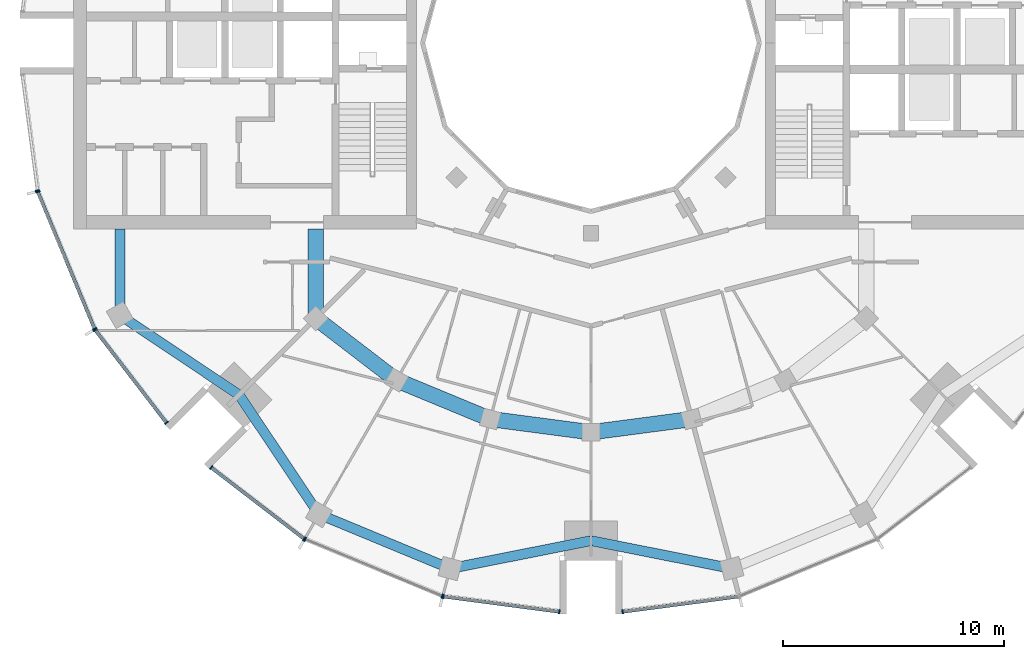
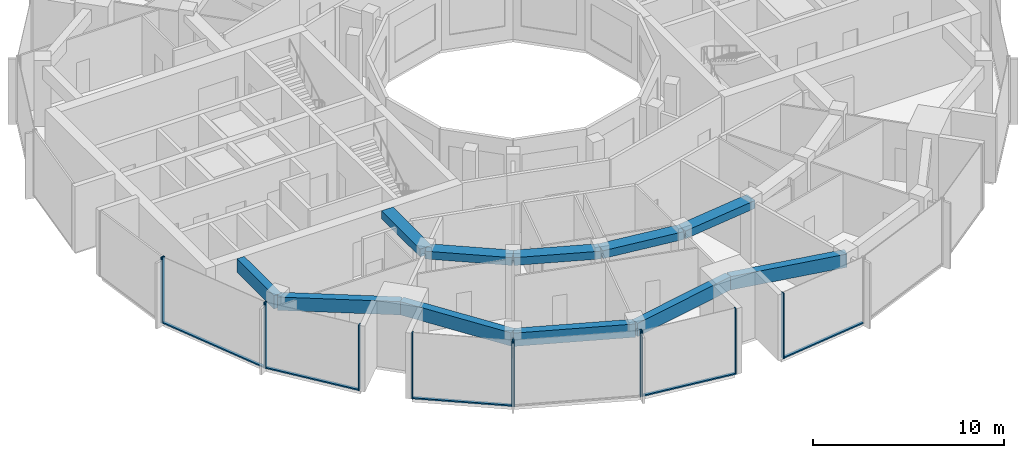
# One storey, part 2 of 15: 17 members, 11 beams, 7 elements without a shape of their own.
"""IFC4 building model written with IfcOpenShell, lengths in metres."""

from ifc_helpers import new_model, si_unit, direction, frame, origin, origin_2d, place, context, subcontext, project, spatial, rectangle, extrude, material, layer, layer_set, material_profile, profile_set, type_object, element, aggregate, save


model = new_model("IFC4")

# Units and contexts
model_context = context("Model", 3, precision=1e-05, world=origin(), true_north=direction((0.0, 1.0)))
body_context = subcontext(model_context, "Body", "Model", "MODEL_VIEW")
ifc_project = project(units=[si_unit("LENGTHUNIT", "METRE"), si_unit("AREAUNIT", "SQUARE_METRE"), si_unit("VOLUMEUNIT", "CUBIC_METRE"), si_unit("PLANEANGLEUNIT", "RADIAN"), si_unit("MASSUNIT", "GRAM", prefix="KILO")], contexts=[model_context])

# Site, building, storey
site_placement = place(None, origin())
site = spatial("IfcSite", under=ifc_project, at=site_placement, CompositionType="ELEMENT")
building_placement = place(site_placement, origin())
building = spatial("IfcBuilding", under=site, at=building_placement, Name="Torre Brocal", CompositionType="ELEMENT")
storey_placement = place(building_placement, frame((0.0, 0.0, 254.10009765625)))
storey = spatial("IfcBuildingStorey", under=building, at=storey_placement, Name="L58", CompositionType="ELEMENT", Elevation=254.10009765625)

# Curtain wall, members
ifc_material_1 = material(Name="Aluminium and glass", Category="aluminium")
ifc_layer_1 = layer(ifc_material_1, 0.199951171875)
ifc_layer_set_1 = layer_set([ifc_layer_1], Name="Aluminium and glass")
curtain_wall_type_1 = type_object("IfcCurtainWallType", Name="CW-1 CURTAIN WALL 4200 HIGH", PredefinedType="NOTDEFINED", material=ifc_layer_set_1)
curtain_wall_1_placement = place(storey_placement, origin())
curtain_wall_1 = element("IfcCurtainWall", 1, at=curtain_wall_1_placement, inside=storey, type_object=curtain_wall_type_1, Name="CW-1 RUN 14", PredefinedType="NOTDEFINED")
ifc_material_2 = material(Name="Aluminium, dark anodised", Category="aluminium")
ifc_material_profile_1 = material_profile(ifc_material_2, rectangle(XDim=0.199951171875, YDim=0.06005859375, at=origin_2d()), Name="CW-1 MULLION 60X200")
ifc_profile_set_1 = profile_set([ifc_material_profile_1], Name="Aluminium, dark anodised")
member_type_1 = type_object("IfcMemberType", Name="CW-1 MULLION 60X200", PredefinedType="MULLION", material=ifc_profile_set_1)
member_1_placement = place(storey_placement, frame((54.994873046875, 68.26904296875, 0.0), z_axis=(0.0, 0.0, 1.0), x_axis=(0.923879532525, 0.382683432333, 0.0)))
member_1 = element("IfcMember", 2, at=member_1_placement, type_object=member_type_1, Name="CW1-5 mullion 1", PredefinedType="MULLION", context=body_context, shape_type="SweptSolid", body=[
    extrude(rectangle(XDim=0.199951171875, YDim=0.06005859375, at=origin_2d()), origin(), (0.0, 0.0, 1.0), 4.199951171875),
])
member_2_placement = place(storey_placement, frame((57.559326171875, 62.078125, 0.0), z_axis=(0.0, 0.0, 1.0), x_axis=(0.923879532525, 0.382683432333, 0.0)))
member_2 = element("IfcMember", 3, at=member_2_placement, type_object=member_type_1, Name="CW1-5 mullion 2", PredefinedType="MULLION", context=body_context, shape_type="SweptSolid", body=[
    extrude(rectangle(XDim=0.199951171875, YDim=0.06005859375, at=origin_2d()), origin(), (0.0, 0.0, 1.0), 4.199951171875),
])

curtain_wall_2_placement = place(storey_placement, origin())
curtain_wall_2 = element("IfcCurtainWall", 4, at=curtain_wall_2_placement, inside=storey, type_object=curtain_wall_type_1, Name="CW-1 RUN 15", PredefinedType="NOTDEFINED")
member_3_placement = place(storey_placement, frame((57.5888671875, 62.026611328125, 0.0), z_axis=(0.0, 0.0, 1.0), x_axis=(0.793353340259, 0.60876142905, 0.0)))
member_3 = element("IfcMember", 5, at=member_3_placement, type_object=member_type_1, Name="CW1-5 mullion 1", PredefinedType="MULLION", context=body_context, shape_type="SweptSolid", body=[
    extrude(rectangle(XDim=0.199951171875, YDim=0.06005859375, at=origin_2d()), origin(), (0.0, 0.0, 1.0), 4.199951171875),
])
member_4_placement = place(storey_placement, frame((60.80859375, 57.83056640625, 0.0), z_axis=(0.0, 0.0, 1.0), x_axis=(0.793353340259, 0.60876142905, 0.0)))
member_4 = element("IfcMember", 6, at=member_4_placement, type_object=member_type_1, Name="CW1-5 mullion 2", PredefinedType="MULLION", context=body_context, shape_type="SweptSolid", body=[
    extrude(rectangle(XDim=0.199951171875, YDim=0.06005859375, at=origin_2d()), origin(), (0.0, 0.0, 1.0), 4.199951171875),
])

curtain_wall_3_placement = place(storey_placement, origin())
curtain_wall_3 = element("IfcCurtainWall", 7, at=curtain_wall_3_placement, inside=storey, type_object=curtain_wall_type_1, Name="CW-1 RUN 16", PredefinedType="NOTDEFINED")
member_5_placement = place(storey_placement, frame((62.83056640625, 55.80859375, 0.0), z_axis=(0.0, 0.0, 1.0), x_axis=(0.60876142905, 0.793353340259, 0.0)))
member_5 = element("IfcMember", 8, at=member_5_placement, type_object=member_type_1, Name="CW1-5 mullion 1", PredefinedType="MULLION", context=body_context, shape_type="SweptSolid", body=[
    extrude(rectangle(XDim=0.199951171875, YDim=0.06005859375, at=origin_2d()), origin(), (0.0, 0.0, 1.0), 4.199951171875),
])
member_6_placement = place(storey_placement, frame((67.026611328125, 52.5888671875, 0.0), z_axis=(0.0, 0.0, 1.0), x_axis=(0.60876142905, 0.793353340259, 0.0)))
member_6 = element("IfcMember", 9, at=member_6_placement, type_object=member_type_1, Name="CW1-5 mullion 2", PredefinedType="MULLION", context=body_context, shape_type="SweptSolid", body=[
    extrude(rectangle(XDim=0.199951171875, YDim=0.06005859375, at=origin_2d()), origin(), (0.0, 0.0, 1.0), 4.199951171875),
])

curtain_wall_4_placement = place(storey_placement, origin())
curtain_wall_4 = element("IfcCurtainWall", 10, at=curtain_wall_4_placement, inside=storey, type_object=curtain_wall_type_1, Name="CW-1 RUN 17", PredefinedType="NOTDEFINED")
member_7_placement = place(storey_placement, frame((67.078125, 52.559326171875, 0.0), z_axis=(0.0, 0.0, 1.0), x_axis=(0.382683432333, 0.923879532525, 0.0)))
member_7 = element("IfcMember", 11, at=member_7_placement, type_object=member_type_1, Name="CW1-5 mullion 1", PredefinedType="MULLION", context=body_context, shape_type="SweptSolid", body=[
    extrude(rectangle(XDim=0.199951171875, YDim=0.06005859375, at=origin_2d()), origin(), (0.0, 0.0, 1.0), 4.199951171875),
])
member_8_placement = place(storey_placement, frame((73.26904296875, 49.994873046875, 0.0), z_axis=(0.0, 0.0, 1.0), x_axis=(0.382683432333, 0.923879532525, 0.0)))
member_8 = element("IfcMember", 12, at=member_8_placement, type_object=member_type_1, Name="CW1-5 mullion 2", PredefinedType="MULLION", context=body_context, shape_type="SweptSolid", body=[
    extrude(rectangle(XDim=0.199951171875, YDim=0.06005859375, at=origin_2d()), origin(), (0.0, 0.0, 1.0), 4.199951171875),
])
aggregate(curtain_wall_4, [member_7, member_8])

curtain_wall_5_placement = place(storey_placement, origin())
curtain_wall_5 = element("IfcCurtainWall", 13, at=curtain_wall_5_placement, inside=storey, type_object=curtain_wall_type_1, Name="CW-1 RUN 18", PredefinedType="NOTDEFINED")
member_9_placement = place(storey_placement, frame((73.32666015625, 49.9794921875, 0.0), z_axis=(0.0, 0.0, 1.0), x_axis=(0.13052619222, 0.991444861374, 0.0)))
member_9 = element("IfcMember", 14, at=member_9_placement, type_object=member_type_1, Name="CW1-5 mullion 1", PredefinedType="MULLION", context=body_context, shape_type="SweptSolid", body=[
    extrude(rectangle(XDim=0.199951171875, YDim=0.06005859375, at=origin_2d()), origin(), (0.0, 0.0, 1.0), 4.199951171875),
])
member_10_placement = place(storey_placement, frame((78.5703125, 49.2890625, 0.0), z_axis=(0.0, 0.0, 1.0), x_axis=(0.13052619222, 0.991444861374, 0.0)))
member_10 = element("IfcMember", 15, at=member_10_placement, type_object=member_type_1, Name="CW1-5 mullion 2", PredefinedType="MULLION", context=body_context, shape_type="SweptSolid", body=[
    extrude(rectangle(XDim=0.199951171875, YDim=0.06005859375, at=origin_2d()), origin(), (0.0, 0.0, 1.0), 4.199951171875),
])

# Curtain wall, member
curtain_wall_6_placement = place(storey_placement, origin())
curtain_wall_6 = element("IfcCurtainWall", 16, at=curtain_wall_6_placement, inside=storey, type_object=curtain_wall_type_1, Name="CW-1 RUN 19", PredefinedType="NOTDEFINED")
member_11_placement = place(storey_placement, frame((81.4296875, 49.2890625, 0.0), z_axis=(0.0, 0.0, 1.0), x_axis=(-0.13052619222, 0.991444861374, 0.0)))
member_11 = element("IfcMember", 17, at=member_11_placement, type_object=member_type_1, Name="CW1-5 mullion 1", PredefinedType="MULLION", context=body_context, shape_type="SweptSolid", body=[
    extrude(rectangle(XDim=0.199951171875, YDim=0.06005859375, at=origin_2d()), origin(), (0.0, 0.0, 1.0), 4.199951171875),
])

# Member
ifc_material_3 = material(Name="Aluminium, dark anodised", Category="aluminium")
ifc_material_profile_2 = material_profile(ifc_material_3, rectangle(XDim=0.159912109375, YDim=0.080078125, at=origin_2d()), Name="CW-1 TRANSOM 160X80")
ifc_profile_set_2 = profile_set([ifc_material_profile_2], Name="Aluminium, dark anodised")
member_type_2 = type_object("IfcMemberType", Name="CW-1 TRANSOM 160X80", PredefinedType="USERDEFINED", material=ifc_profile_set_2)
member_12_placement = place(storey_placement, frame((55.00634765625, 68.241455078125, 0.039794921875), z_axis=(0.38266457234, -0.923887344364, 0.0), x_axis=(0.923887344364, 0.38266457234, 0.0)))
member_12 = element("IfcMember", 18, at=member_12_placement, type_object=member_type_2, Name="CW1-5 transom 1.1", ObjectType="TRANSOM", PredefinedType="USERDEFINED", context=body_context, shape_type="SweptSolid", body=[
    extrude(rectangle(XDim=0.159912109375, YDim=0.080078125, at=origin_2d()), origin(), (0.0, 0.0, 1.0), 6.640869140625),
])

aggregate(curtain_wall_1, [member_1, member_2, member_12])

member_13_placement = place(storey_placement, frame((57.607177734375, 62.0029296875, 0.039794921875), z_axis=(0.60874908096, -0.79336281513, 0.0), x_axis=(0.79336281513, 0.60874908096, 0.0)))
member_13 = element("IfcMember", 19, at=member_13_placement, type_object=member_type_2, Name="CW1-5 transom 1.1", ObjectType="TRANSOM", PredefinedType="USERDEFINED", context=body_context, shape_type="SweptSolid", body=[
    extrude(rectangle(XDim=0.159912109375, YDim=0.080078125, at=origin_2d()), origin(), (0.0, 0.0, 1.0), 5.22900390625),
])

aggregate(curtain_wall_2, [member_3, member_4, member_13])

member_14_placement = place(storey_placement, frame((62.8544921875, 55.790283203125, 0.039794921875), z_axis=(0.79336281513, -0.60874908096, 0.0), x_axis=(0.60874908096, 0.79336281513, 0.0)))
member_14 = element("IfcMember", 20, at=member_14_placement, type_object=member_type_2, Name="CW1-5 transom 1.1", ObjectType="TRANSOM", PredefinedType="USERDEFINED", context=body_context, shape_type="SweptSolid", body=[
    extrude(rectangle(XDim=0.159912109375, YDim=0.080078125, at=origin_2d()), origin(), (0.0, 0.0, 1.0), 5.22900390625),
])

aggregate(curtain_wall_3, [member_5, member_6, member_14])

member_15_placement = place(storey_placement, frame((73.356201171875, 49.9755859375, 0.039794921875), z_axis=(0.991442690863, -0.130542677827, 0.0), x_axis=(0.130542677827, 0.991442690863, 0.0)))
member_15 = element("IfcMember", 21, at=member_15_placement, type_object=member_type_2, Name="CW1-5 transom 1.1", ObjectType="TRANSOM", PredefinedType="USERDEFINED", context=body_context, shape_type="SweptSolid", body=[
    extrude(rectangle(XDim=0.159912109375, YDim=0.080078125, at=origin_2d()), origin(), (0.0, 0.0, 1.0), 5.22900390625),
])

aggregate(curtain_wall_5, [member_9, member_10, member_15])

member_16_placement = place(storey_placement, frame((81.45947265625, 49.29296875, 0.039794921875), z_axis=(0.991442690863, 0.130542677827, 0.0), x_axis=(-0.130542677827, 0.991442690863, 0.0)))
member_16 = element("IfcMember", 22, at=member_16_placement, type_object=member_type_2, Name="CW1-5 transom 1.1", ObjectType="TRANSOM", PredefinedType="USERDEFINED", context=body_context, shape_type="SweptSolid", body=[
    extrude(rectangle(XDim=0.159912109375, YDim=0.080078125, at=origin_2d()), origin(), (0.0, 0.0, 1.0), 5.22900390625),
])

aggregate(curtain_wall_6, [member_11, member_16])

# Curtain wall, member
ifc_material_4 = material(Name="Aluminium and glass", Category="aluminium")
ifc_layer_2 = layer(ifc_material_4, 0.199951171875)
ifc_layer_set_2 = layer_set([ifc_layer_2], Name="Aluminium and glass")
curtain_wall_type_2 = type_object("IfcCurtainWallType", Name="CW-1B CURTAIN WALL 4200 HIGH", PredefinedType="NOTDEFINED", material=ifc_layer_set_2)
curtain_wall_7_placement = place(storey_placement, origin())
curtain_wall_7 = element("IfcCurtainWall", 23, at=curtain_wall_7_placement, inside=storey, type_object=curtain_wall_type_2, Name="CW-1B RUN 13", PredefinedType="NOTDEFINED")
ifc_material_5 = material(Name="Aluminium, dark anodised", Category="aluminium")
ifc_material_profile_3 = material_profile(ifc_material_5, rectangle(XDim=0.199951171875, YDim=0.06005859375, at=origin_2d()), Name="CW-1B MULLION 60X200")
ifc_profile_set_3 = profile_set([ifc_material_profile_3], Name="Aluminium, dark anodised")
member_type_3 = type_object("IfcMemberType", Name="CW-1B MULLION 60X200", PredefinedType="MULLION", material=ifc_profile_set_3)
member_17_placement = place(storey_placement, frame((54.9794921875, 68.32666015625, 0.0), z_axis=(0.0, 0.0, 1.0), x_axis=(0.991444861374, 0.13052619222, 0.0)))
member_17 = element("IfcMember", 24, at=member_17_placement, type_object=member_type_3, Name="CW1B-5 mullion 2", PredefinedType="MULLION", context=body_context, shape_type="SweptSolid", body=[
    extrude(rectangle(XDim=0.199951171875, YDim=0.06005859375, at=origin_2d()), origin(), (0.0, 0.0, 1.0), 4.199951171875),
])
aggregate(curtain_wall_7, [member_17])

# Beams
ifc_material_6 = material(Name="Concrete C50", Category="concrete")
ifc_material_profile_4 = material_profile(ifc_material_6, rectangle(XDim=0.699951171875, YDim=0.5, at=origin_2d()), Name="RC 700X500")
ifc_profile_set_4 = profile_set([ifc_material_profile_4], Name="Concrete C50")
beam_type_1 = type_object("IfcBeamType", Name="RC BEAM 700X500 C50 TOP 3880", PredefinedType="BEAM", material=ifc_profile_set_4)
beam_1_placement = place(storey_placement, frame((67.554931640625, 62.554931640625, 3.6298828125), z_axis=(0.0, 1.0, 0.0), x_axis=(-1.0, 0.0, 0.0)))
element("IfcBeam", 25, at=beam_1_placement, inside=storey, type_object=beam_type_1, Name="Beam BT-37", PredefinedType="BEAM", context=body_context, shape_type="SweptSolid", body=[
    extrude(rectangle(XDim=0.699951171875, YDim=0.5, at=origin_2d()), origin(), (0.0, 0.0, 1.0), 4.045166015625),
])
beam_2_placement = place(storey_placement, frame((67.554931640625, 62.554931640625, 3.6298828125), z_axis=(0.793358265959, -0.6087550097, 0.0), x_axis=(0.6087550097, 0.793358265959, 0.0)))
element("IfcBeam", 26, at=beam_2_placement, inside=storey, type_object=beam_type_1, Name="Beam BT-37", PredefinedType="BEAM", context=body_context, shape_type="SweptSolid", body=[
    extrude(rectangle(XDim=0.699951171875, YDim=0.5, at=origin_2d()), origin(), (0.0, 0.0, 1.0), 4.594482421875),
])
beam_3_placement = place(storey_placement, frame((71.199951171875, 59.758056640625, 3.6298828125), z_axis=(0.923878240166, -0.382686552348, 0.0), x_axis=(0.382686552348, 0.923878240166, 0.0)))
element("IfcBeam", 27, at=beam_3_placement, inside=storey, type_object=beam_type_1, Name="Beam BT-37", PredefinedType="BEAM", context=body_context, shape_type="SweptSolid", body=[
    extrude(rectangle(XDim=0.699951171875, YDim=0.5, at=origin_2d()), origin(), (0.0, 0.0, 1.0), 4.5947265625),
])
for number, where, z_axis, x_axis, name in (
    (28, (75.44482421875, 57.999755859375, 3.6298828125), (0.991440544449, -0.130558978332, 0.0), (0.130558978332, 0.991440544449, 0.0), "Beam BT-37"),
    (29, (80.0, 57.39990234375, 3.6298828125), (0.991440544449, 0.130558978332, 0.0), (-0.130558978332, 0.991440544449, 0.0), "Beam BT-37"),
):
    element("IfcBeam", number, at=place(storey_placement, frame(where, z_axis=z_axis, x_axis=x_axis)), inside=storey, type_object=beam_type_1, Name=name, PredefinedType="BEAM", context=body_context, shape_type="SweptSolid", body=[
        extrude(rectangle(XDim=0.699951171875, YDim=0.5, at=origin_2d()), origin(), (0.0, 0.0, 1.0), 4.594482421875),
    ])
ifc_material_7 = material(Name="Concrete C50", Category="concrete")
ifc_material_profile_5 = material_profile(ifc_material_7, rectangle(XDim=0.449951171875, YDim=0.85009765625, at=origin_2d()), Name="RC 450X850")
ifc_profile_set_5 = profile_set([ifc_material_profile_5], Name="Concrete C50")
beam_type_2 = type_object("IfcBeamType", Name="RC SPANDREL BEAM 450X850 C50 TOP 3880", PredefinedType="SPANDREL", material=ifc_profile_set_5)
beam_4_placement = place(storey_placement, frame((58.69580078125, 62.699951171875, 3.454833984375), z_axis=(0.0, 1.0, 0.0), x_axis=(-1.0, 0.0, 0.0)))
element("IfcBeam", 30, at=beam_4_placement, inside=storey, type_object=beam_type_2, Name="Beam BT-38", PredefinedType="SPANDREL", context=body_context, shape_type="SweptSolid", body=[
    extrude(rectangle(XDim=0.449951171875, YDim=0.85009765625, at=origin_2d()), origin(), (0.0, 0.0, 1.0), 3.900146484375),
])
for number, where, z_axis, x_axis, name in (
    (31, (58.69580078125, 62.699951171875, 3.454833984375), (0.831076844476, -0.556157602282, 0.0), (0.556157602282, 0.831076844476, 0.0), "Beam BT-38"),
    (32, (64.090087890625, 59.090087890625, 3.454833984375), (0.556157602282, -0.831076844476, 0.0), (0.831076844476, 0.556157602282, 0.0), "Beam BT-38"),
):
    element("IfcBeam", number, at=place(storey_placement, frame(where, z_axis=z_axis, x_axis=x_axis)), inside=storey, type_object=beam_type_2, Name=name, PredefinedType="SPANDREL", context=body_context, shape_type="SweptSolid", body=[
        extrude(rectangle(XDim=0.449951171875, YDim=0.85009765625, at=origin_2d()), origin(), (0.0, 0.0, 1.0), 6.49072265625),
    ])
beam_5_placement = place(storey_placement, frame((67.699951171875, 53.69580078125, 3.454833984375), z_axis=(0.923882462513, -0.382676358639, 0.0), x_axis=(0.382676358639, 0.923882462513, 0.0)))
element("IfcBeam", 33, at=beam_5_placement, inside=storey, type_object=beam_type_2, Name="Beam BT-38", PredefinedType="SPANDREL", context=body_context, shape_type="SweptSolid", body=[
    extrude(rectangle(XDim=0.449951171875, YDim=0.85009765625, at=origin_2d()), origin(), (0.0, 0.0, 1.0), 6.421875),
])
for number, where, z_axis, x_axis, name in (
    (34, (73.633056640625, 51.23828125, 3.454833984375), (0.980924907484, 0.194387051723, 0.0), (-0.194387051723, 0.980924907484, 0.0), "Beam BT-38"),
    (35, (80.0, 52.5, 3.454833984375), (0.980924907484, -0.194387051723, 0.0), (0.194387051723, 0.980924907484, 0.0), "Beam BT-38"),
):
    element("IfcBeam", number, at=place(storey_placement, frame(where, z_axis=z_axis, x_axis=x_axis)), inside=storey, type_object=beam_type_2, Name=name, PredefinedType="SPANDREL", context=body_context, shape_type="SweptSolid", body=[
        extrude(rectangle(XDim=0.449951171875, YDim=0.85009765625, at=origin_2d()), origin(), (0.0, 0.0, 1.0), 6.49072265625),
    ])

save(model, "model.ifc")
